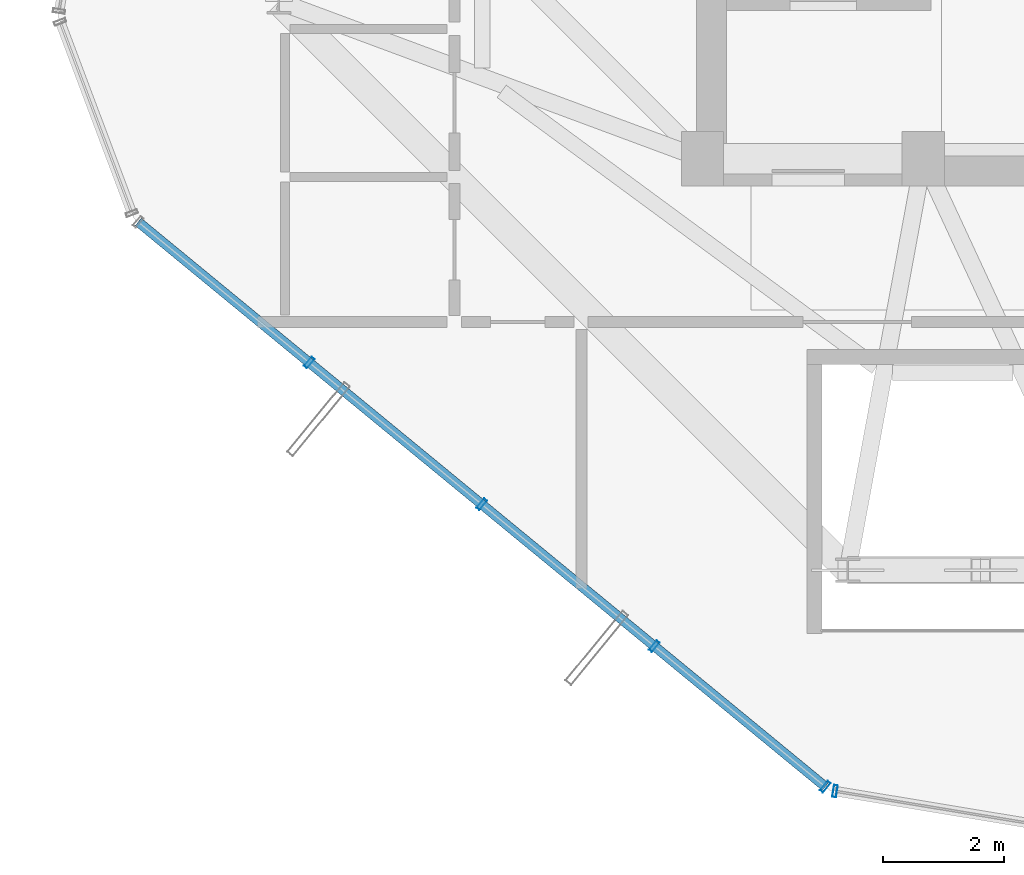
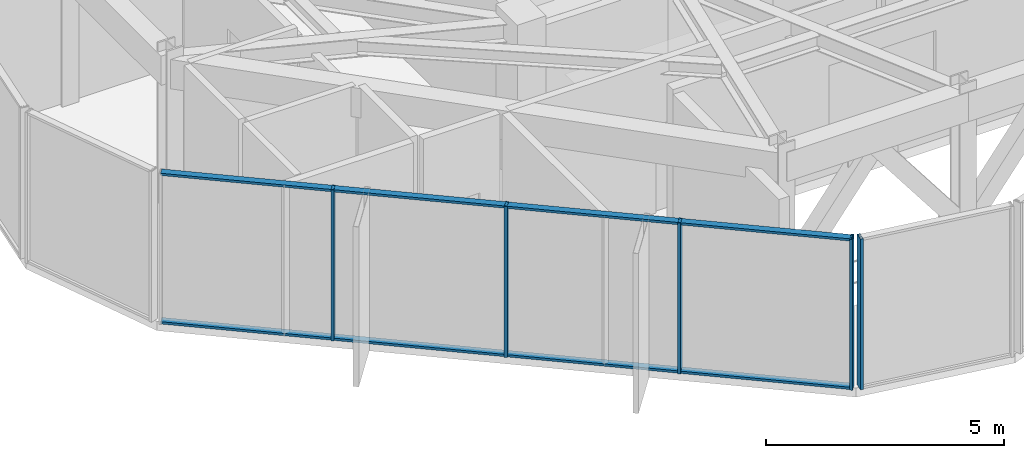
# One storey, part 2 of 22: 7 members, 2 elements without a shape of their own.
"""IFC4 building model written with IfcOpenShell, lengths in metres."""

from ifc_helpers import new_model, si_unit, direction, frame, origin, origin_2d, place, context, subcontext, project, spatial, hollow_rectangle, extrude, source, transform, mapped, material, layer, layer_set, material_profile, profile_set, type_object, element, aggregate, save


model = new_model("IFC4")

# Units and contexts
model_context = context("Model", 3, precision=1e-05, world=origin(), true_north=direction((0.0, 1.0)))
body_context = subcontext(model_context, "Body", "Model", "MODEL_VIEW")
ifc_project = project(units=[si_unit("LENGTHUNIT", "METRE"), si_unit("AREAUNIT", "SQUARE_METRE"), si_unit("VOLUMEUNIT", "CUBIC_METRE"), si_unit("PLANEANGLEUNIT", "RADIAN"), si_unit("MASSUNIT", "GRAM", prefix="KILO")], contexts=[model_context])

# Site, building, storey
site_placement = place(None, origin())
site = spatial("IfcSite", under=ifc_project, at=site_placement, CompositionType="ELEMENT")
building_placement = place(site_placement, origin())
building = spatial("IfcBuilding", under=site, at=building_placement, Name="Veraguas Prism Commons", CompositionType="ELEMENT")
storey_placement = place(building_placement, frame((0.0, 0.0, 240.64990234375)))
storey = spatial("IfcBuildingStorey", under=building, at=storey_placement, Name="L68", CompositionType="ELEMENT", Elevation=240.64990234375)

# Curtain wall, members
ifc_material = material(Name="Anodised aluminium EN AW-6063 T6", Category="aluminium")
ifc_layer = layer(ifc_material, 0.199951171875, Name="Sky Lobby and Pool Acoustic Curtain Wall", Category="aluminium")
ifc_layer_set = layer_set([ifc_layer], Name="Anodised aluminium EN AW-6063 T6")
curtain_wall_type = type_object("IfcCurtainWallType", Name="Sky Lobby and Pool Acoustic Curtain Wall", PredefinedType="NOTDEFINED", material=ifc_layer_set)
curtain_wall_1_placement = place(storey_placement, origin())
curtain_wall_1 = element("IfcCurtainWall", 1, at=curtain_wall_1_placement, inside=storey, type_object=curtain_wall_type, Name="Tower Facade Curtain Wall L68-F4", PredefinedType="NOTDEFINED")
ifc_material_profile_1 = material_profile(ifc_material, hollow_rectangle(XDim=0.06494140625, YDim=0.199951171875, WallThickness=0.00390625, at=origin_2d()), Name="AL65X200X4")
ifc_profile_set_1 = profile_set([ifc_material_profile_1], Name="Anodised aluminium EN AW-6063 T6")
member_type_1 = type_object("IfcMemberType", Name="Curtain Wall Mullion Heavy AL 65x200x4", PredefinedType="MULLION", material=ifc_profile_set_1)
shared_shape_1 = source(origin(), body_context, "Body", "SweptSolid", [
    extrude(hollow_rectangle(XDim=0.06494140625, YDim=0.199951171875, WallThickness=0.00390625, at=origin_2d()), origin(), (0.0, 0.0, 1.0), 3.864990234375),
])
member_1_placement = place(storey_placement, frame((10.69970703125, 13.6328125, 0.0), z_axis=(0.0, 0.0, 1.0), x_axis=(0.772514180242, -0.634997512849, 0.0)))
member_1 = element("IfcMember", 2, at=member_1_placement, type_object=member_type_1, Name="CW-SKY Mullion 2", PredefinedType="MULLION", context=body_context, shape_type="MappedRepresentation", body=[
    mapped(shared_shape_1, transform((0.0, 0.0, 0.0), scale=1.0)),
])
member_2_placement = place(storey_placement, frame((13.551513671875, 11.288818359375, 0.0), z_axis=(0.0, 0.0, 1.0), x_axis=(0.772514180242, -0.634997512849, 0.0)))
member_2 = element("IfcMember", 3, at=member_2_placement, type_object=member_type_1, Name="CW-SKY Mullion 3", PredefinedType="MULLION", context=body_context, shape_type="MappedRepresentation", body=[
    mapped(shared_shape_1, transform((0.0, 0.0, 0.0), scale=1.0)),
])
member_3_placement = place(storey_placement, frame((16.4033203125, 8.944580078125, 0.0), z_axis=(0.0, 0.0, 1.0), x_axis=(0.772514180242, -0.634997512849, 0.0)))
member_3 = element("IfcMember", 4, at=member_3_placement, type_object=member_type_1, Name="CW-SKY Mullion 4", PredefinedType="MULLION", context=body_context, shape_type="MappedRepresentation", body=[
    mapped(shared_shape_1, transform((0.0, 0.0, 0.0), scale=1.0)),
])
member_4_placement = place(storey_placement, frame((19.22998046875, 6.62109375, 0.0), z_axis=(0.0, 0.0, 1.0), x_axis=(0.772514180242, -0.634997512849, 0.0)))
member_4 = element("IfcMember", 5, at=member_4_placement, type_object=member_type_1, Name="CW-SKY Mullion 5", PredefinedType="MULLION", context=body_context, shape_type="MappedRepresentation", body=[
    mapped(shared_shape_1, transform((0.0, 0.0, 0.0), scale=1.0)),
])

# Curtain wall, member
curtain_wall_2_placement = place(storey_placement, origin())
curtain_wall_2 = element("IfcCurtainWall", 6, at=curtain_wall_2_placement, inside=storey, type_object=curtain_wall_type, Name="Chamfer Curtain Wall L68-C5", PredefinedType="NOTDEFINED")
member_5_placement = place(storey_placement, frame((19.392578125, 6.547119140625, 0.0), z_axis=(0.0, 0.0, 1.0), x_axis=(0.986511376171, -0.16369271421, 0.0)))
member_5 = element("IfcMember", 7, at=member_5_placement, type_object=member_type_1, Name="CW-SKY Mullion 1", PredefinedType="MULLION", context=body_context, shape_type="MappedRepresentation", body=[
    mapped(shared_shape_1, transform((0.0, 0.0, 0.0), scale=1.0)),
])
aggregate(curtain_wall_2, [member_5])

# Member
ifc_material_profile_2 = material_profile(ifc_material, hollow_rectangle(XDim=0.06005859375, YDim=0.159912109375, WallThickness=0.0029296875, at=origin_2d()), Name="AL60X160X3")
ifc_profile_set_2 = profile_set([ifc_material_profile_2], Name="Anodised aluminium EN AW-6063 T6")
member_type_2 = type_object("IfcMemberType", Name="Curtain Wall Transom Heavy AL 60x160x3", PredefinedType="USERDEFINED", material=ifc_profile_set_2)
shared_shape_2 = source(origin(), body_context, "Body", "SweptSolid", [
    extrude(hollow_rectangle(XDim=0.06005859375, YDim=0.159912109375, WallThickness=0.0029296875, at=origin_2d()), origin(), (0.0, 0.0, 1.0), 14.701416015625),
])
member_6_placement = place(storey_placement, frame((7.872802734375, 15.956298828125, 0.030029296875), z_axis=(0.772522875603, -0.634986934251, 0.0), x_axis=(0.0, 0.0, 1.0)))
member_6 = element("IfcMember", 8, at=member_6_placement, type_object=member_type_2, Name="CW-SKY Transom 1", ObjectType="TRANSOM", PredefinedType="USERDEFINED", context=body_context, shape_type="MappedRepresentation", body=[
    mapped(shared_shape_2, transform((0.0, 0.0, 0.0), scale=1.0)),
])

member_7_placement = place(storey_placement, frame((7.872802734375, 15.956298828125, 3.835205078125), z_axis=(0.772522875603, -0.634986934251, 0.0), x_axis=(0.0, 0.0, 1.0)))
member_7 = element("IfcMember", 9, at=member_7_placement, type_object=member_type_2, Name="CW-SKY Transom 2", ObjectType="TRANSOM", PredefinedType="USERDEFINED", context=body_context, shape_type="MappedRepresentation", body=[
    mapped(shared_shape_2, transform((0.0, 0.0, 0.0), scale=1.0)),
])

aggregate(curtain_wall_1, [member_1, member_2, member_3, member_4, member_6, member_7])

save(model, "model.ifc")
